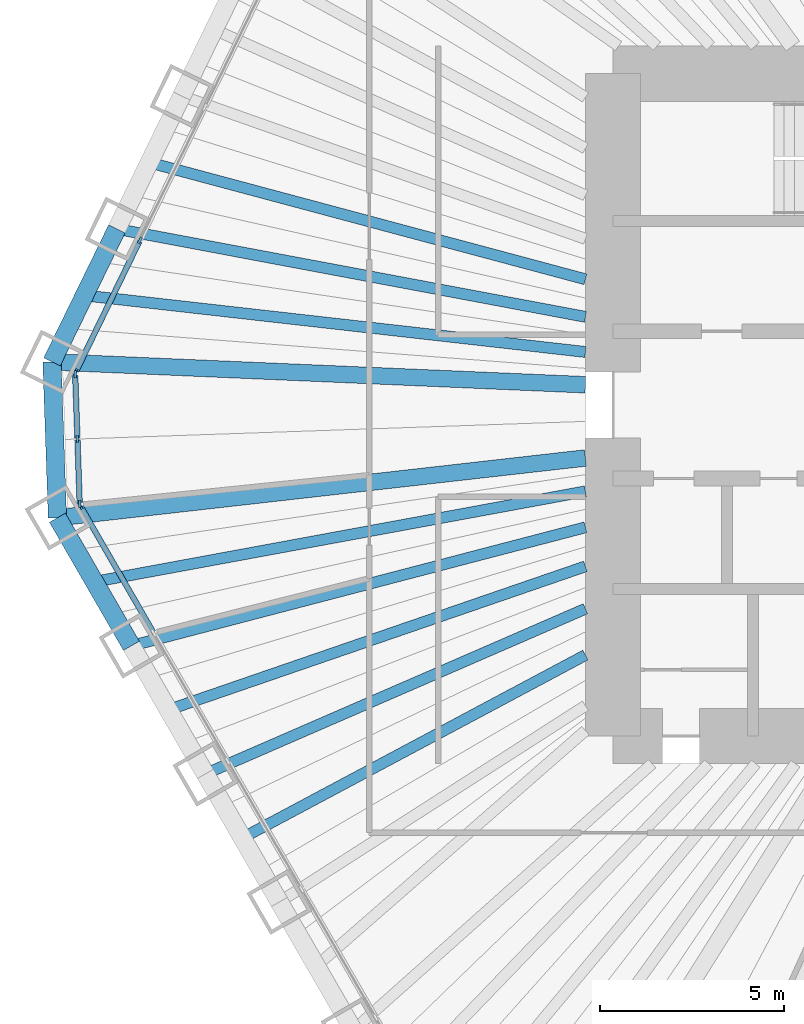
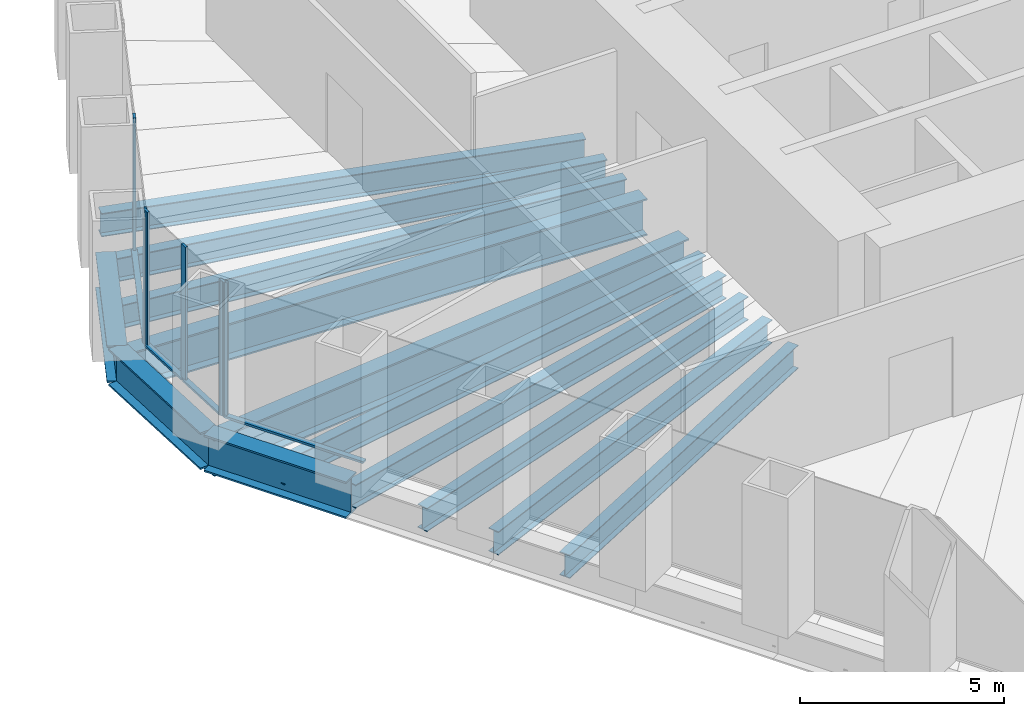
# One storey, part 3 of 13: 13 beams, 10 members, 3 elements without a shape of their own.
"""IFC4 building model written with IfcOpenShell, lengths in metres."""

from ifc_helpers import new_model, si_unit, direction, frame, origin, origin_2d, place, context, subcontext, project, spatial, rectangle, i_section, extrude, material, material_profile, profile_set, type_object, element, aggregate, save


model = new_model("IFC4")

# Units and contexts
model_context = context("Model", 3, precision=1e-05, world=origin(), true_north=direction((0.0, 1.0)))
body_context = subcontext(model_context, "Body", "Model", "MODEL_VIEW")
ifc_project = project(units=[si_unit("LENGTHUNIT", "METRE"), si_unit("AREAUNIT", "SQUARE_METRE"), si_unit("VOLUMEUNIT", "CUBIC_METRE"), si_unit("PLANEANGLEUNIT", "RADIAN"), si_unit("MASSUNIT", "GRAM", prefix="KILO")], contexts=[model_context])

# Site, building, storey
site_placement = place(None, origin())
site = spatial("IfcSite", under=ifc_project, at=site_placement, CompositionType="ELEMENT")
building_placement = place(site_placement, origin())
building = spatial("IfcBuilding", under=site, at=building_placement, Name="Qingtian Harvest Tower", CompositionType="ELEMENT")
storey_placement = place(building_placement, frame((0.0, 0.0, 115.60009765625)))
storey = spatial("IfcBuildingStorey", under=building, at=storey_placement, Name="L23", CompositionType="ELEMENT", Elevation=115.60009765625)

# Beams
ifc_material_1 = material(Name="Steel SM570MC", Category="steel")
ifc_material_profile_1 = material_profile(ifc_material_1, i_section(OverallWidth=0.449951171875, OverallDepth=1.10009765625, WebThickness=0.02197265625, FlangeThickness=0.044921875, at=origin_2d()), Name="H1100x450x22x45")
ifc_profile_set_1 = profile_set([ifc_material_profile_1], Name="Steel SM570MC")
beam_type_1 = type_object("IfcBeamType", Name="Corner floor beam FB8 H1100x450x22x45", PredefinedType="BEAM", material=ifc_profile_set_1)
beam_1_placement = place(storey_placement, frame((-27.096923828125, -3.066650390625, -0.72021484375), z_axis=(0.993656070393, 0.112461610213, 0.0), x_axis=(-0.112461610213, 0.993656070393, 0.0)))
element("IfcBeam", 1, at=beam_1_placement, inside=storey, type_object=beam_type_1, Name="Floor beam FB8 SW6", PredefinedType="BEAM", context=body_context, shape_type="SweptSolid", body=[
    extrude(i_section(OverallWidth=0.449951171875, OverallDepth=1.10009765625, WebThickness=0.02197265625, FlangeThickness=0.044921875, at=origin_2d()), origin(), (0.0, 0.0, 1.0), 14.4384765625),
])
beam_2_placement = place(storey_placement, frame((-27.244873046875, 1.1689453125, -0.72021484375), z_axis=(0.999081074678, -0.042860310542, 0.0), x_axis=(0.042860310542, 0.999081074678, 0.0)))
element("IfcBeam", 2, at=beam_2_placement, inside=storey, type_object=beam_type_1, Name="Floor beam FB8 NW0", PredefinedType="BEAM", context=body_context, shape_type="SweptSolid", body=[
    extrude(i_section(OverallWidth=0.449951171875, OverallDepth=1.10009765625, WebThickness=0.02197265625, FlangeThickness=0.044921875, at=origin_2d()), origin(), (0.0, 0.0, 1.0), 14.50830078125),
])
ifc_material_2 = material(Name="Steel SN490B", Category="steel")
ifc_material_profile_2 = material_profile(ifc_material_2, i_section(OverallWidth=0.300048828125, OverallDepth=0.699951171875, WebThickness=0.012939453125, FlangeThickness=0.02392578125, at=origin_2d()), Name="H700x300x13x24")
ifc_profile_set_2 = profile_set([ifc_material_profile_2], Name="Steel SN490B")
beam_type_2 = type_object("IfcBeamType", Name="Floor beam FB2 H700x300x13x24", PredefinedType="BEAM", material=ifc_profile_set_2)
beam_3_placement = place(storey_placement, frame((-23.077880859375, -10.02783203125, -0.52001953125), z_axis=(0.917154138631, 0.398532666154, 0.0), x_axis=(-0.398532666154, 0.917154138631, 0.0)))
element("IfcBeam", 3, at=beam_3_placement, inside=storey, type_object=beam_type_2, Name="Floor beam FB2 SW4", PredefinedType="BEAM", context=body_context, shape_type="SweptSolid", body=[
    extrude(i_section(OverallWidth=0.300048828125, OverallDepth=0.699951171875, WebThickness=0.012939453125, FlangeThickness=0.02392578125, at=origin_2d()), origin(), (0.0, 0.0, 1.0), 11.2607421875),
])
beam_4_placement = place(storey_placement, frame((-25.08740234375, -6.547119140625, -0.52001953125), z_axis=(0.967592867696, 0.252515429991, 0.0), x_axis=(-0.252515429991, 0.967592867696, 0.0)))
element("IfcBeam", 4, at=beam_4_placement, inside=storey, type_object=beam_type_2, Name="Floor beam FB2 SW5", PredefinedType="BEAM", context=body_context, shape_type="SweptSolid", body=[
    extrude(i_section(OverallWidth=0.300048828125, OverallDepth=0.699951171875, WebThickness=0.012939453125, FlangeThickness=0.02392578125, at=origin_2d()), origin(), (0.0, 0.0, 1.0), 12.750732421875),
])
beam_5_placement = place(storey_placement, frame((-25.483154296875, 4.78125, -0.52001953125), z_axis=(0.982851913913, -0.184396625015, 0.0), x_axis=(0.184396625015, 0.982851913913, 0.0)))
element("IfcBeam", 5, at=beam_5_placement, inside=storey, type_object=beam_type_2, Name="Floor beam FB2 NW1", PredefinedType="BEAM", context=body_context, shape_type="SweptSolid", body=[
    extrude(i_section(OverallWidth=0.300048828125, OverallDepth=0.699951171875, WebThickness=0.012939453125, FlangeThickness=0.02392578125, at=origin_2d()), origin(), (0.0, 0.0, 1.0), 12.955322265625),
])
ifc_material_3 = material(Name="Steel SN490B", Category="steel")
ifc_material_profile_3 = material_profile(ifc_material_3, i_section(OverallWidth=0.300048828125, OverallDepth=0.699951171875, WebThickness=0.012939453125, FlangeThickness=0.02392578125, at=origin_2d()), Name="H700x300x13x24")
ifc_profile_set_3 = profile_set([ifc_material_profile_3], Name="Steel SN490B")
beam_type_3 = type_object("IfcBeamType", Name="Floor joist J2 H700x300x13x24", PredefinedType="JOIST", material=ifc_profile_set_3)
beam_6_placement = place(storey_placement, frame((-22.0732421875, -11.76806640625, -0.52001953125), z_axis=(0.882429048443, 0.47044550637, 0.0), x_axis=(-0.47044550637, 0.882429048443, 0.0)))
element("IfcBeam", 6, at=beam_6_placement, inside=storey, type_object=beam_type_3, Name="Floor joist J2 SW3", PredefinedType="JOIST", context=body_context, shape_type="SweptSolid", body=[
    extrude(i_section(OverallWidth=0.300048828125, OverallDepth=0.699951171875, WebThickness=0.012939453125, FlangeThickness=0.02392578125, at=origin_2d()), origin(), (0.0, 0.0, 1.0), 10.5654296875),
])
beam_7_placement = place(storey_placement, frame((-24.082763671875, -8.28759765625, -0.52001953125), z_axis=(0.945577150072, 0.325397992099, 0.0), x_axis=(-0.325397992099, 0.945577150072, 0.0)))
element("IfcBeam", 7, at=beam_7_placement, inside=storey, type_object=beam_type_3, Name="Floor joist J2 SW4", PredefinedType="JOIST", context=body_context, shape_type="SweptSolid", body=[
    extrude(i_section(OverallWidth=0.300048828125, OverallDepth=0.699951171875, WebThickness=0.012939453125, FlangeThickness=0.02392578125, at=origin_2d()), origin(), (0.0, 0.0, 1.0), 11.985107421875),
])
beam_8_placement = place(storey_placement, frame((-26.09228515625, -4.806884765625, -0.52001953125), z_axis=(0.983450319804, 0.181178002192, 0.0), x_axis=(-0.181178002192, 0.983450319804, 0.0)))
element("IfcBeam", 8, at=beam_8_placement, inside=storey, type_object=beam_type_3, Name="Floor joist J2 SW5", PredefinedType="JOIST", context=body_context, shape_type="SweptSolid", body=[
    extrude(i_section(OverallWidth=0.300048828125, OverallDepth=0.699951171875, WebThickness=0.012939453125, FlangeThickness=0.02392578125, at=origin_2d()), origin(), (0.0, 0.0, 1.0), 13.56689453125),
])
beam_9_placement = place(storey_placement, frame((-26.364013671875, 2.97509765625, -0.52001953125), z_axis=(0.993692330348, -0.112140771387, 0.0), x_axis=(0.112140771387, 0.993692330348, 0.0)))
element("IfcBeam", 9, at=beam_9_placement, inside=storey, type_object=beam_type_3, Name="Floor joist J2 NW0", PredefinedType="JOIST", context=body_context, shape_type="SweptSolid", body=[
    extrude(i_section(OverallWidth=0.300048828125, OverallDepth=0.699951171875, WebThickness=0.012939453125, FlangeThickness=0.02392578125, at=origin_2d()), origin(), (0.0, 0.0, 1.0), 13.700439453125),
])
beam_10_placement = place(storey_placement, frame((-24.60205078125, 6.58740234375, -0.52001953125), z_axis=(0.965969893862, -0.258654526641, 0.0), x_axis=(0.258654526641, 0.965969893862, 0.0)))
element("IfcBeam", 10, at=beam_10_placement, inside=storey, type_object=beam_type_3, Name="Floor joist J2 NW1", PredefinedType="JOIST", context=body_context, shape_type="SweptSolid", body=[
    extrude(i_section(OverallWidth=0.300048828125, OverallDepth=0.699951171875, WebThickness=0.012939453125, FlangeThickness=0.02392578125, at=origin_2d()), origin(), (0.0, 0.0, 1.0), 12.26953125),
])

# Curtain wall, member
ifc_material_4 = material(Name="Bronze-anodised aluminium curtain wall", Category="aluminium")
curtain_wall_type = type_object("IfcCurtainWallType", Name="Curtain wall CW4 office", PredefinedType="USERDEFINED", material=ifc_material_4)
curtain_wall_1_placement = place(storey_placement, origin())
curtain_wall_1 = element("IfcCurtainWall", 11, at=curtain_wall_1_placement, inside=storey, type_object=curtain_wall_type, Name="Curtain wall CW4 L23 SW0-5", ObjectType="RECESSED CURTAIN WALL", PredefinedType="USERDEFINED")
ifc_material_5 = material(Name="Bronze-anodised aluminium mullion", Category="aluminium")
ifc_material_profile_4 = material_profile(ifc_material_5, rectangle(XDim=0.06494140625, YDim=0.199951171875, at=origin_2d()), Name="AL 65x200")
ifc_profile_set_4 = profile_set([ifc_material_profile_4], Name="Bronze-anodised aluminium mullion")
member_type_1 = type_object("IfcMemberType", Name="Mullion CWM 65x200", PredefinedType="MULLION", material=ifc_profile_set_4)
member_1_placement = place(storey_placement, frame((-26.474609375, -2.744873046875, 0.0), z_axis=(0.0, 0.0, 1.0), x_axis=(-0.866025403784, -0.5, 0.0)))
member_1 = element("IfcMember", 12, at=member_1_placement, type_object=member_type_1, Name="CW4 mullion 7", PredefinedType="MULLION", context=body_context, shape_type="SweptSolid", body=[
    extrude(rectangle(XDim=0.06494140625, YDim=0.199951171875, at=origin_2d()), origin(), (0.0, 0.0, 1.0), 4.02978515625),
])

# Curtain wall, members
curtain_wall_2_placement = place(storey_placement, origin())
curtain_wall_2 = element("IfcCurtainWall", 13, at=curtain_wall_2_placement, inside=storey, type_object=curtain_wall_type, Name="Curtain wall CW4 L23 SWC", ObjectType="RECESSED CURTAIN WALL", PredefinedType="USERDEFINED")
member_2_placement = place(storey_placement, frame((-26.491943359375, -2.68408203125, 0.0), z_axis=(0.0, 0.0, 1.0), x_axis=(-0.999390827019, -0.034899496703, 0.0)))
member_2 = element("IfcMember", 14, at=member_2_placement, type_object=member_type_1, Name="CW4 mullion 1", PredefinedType="MULLION", context=body_context, shape_type="SweptSolid", body=[
    extrude(rectangle(XDim=0.06494140625, YDim=0.199951171875, at=origin_2d()), origin(), (0.0, 0.0, 1.0), 4.02978515625),
])
member_3_placement = place(storey_placement, frame((-26.55322265625, -0.92724609375, 0.0), z_axis=(0.0, 0.0, 1.0), x_axis=(-0.999390827019, -0.034899496703, 0.0)))
member_3 = element("IfcMember", 15, at=member_3_placement, type_object=member_type_1, Name="CW4 mullion 2", PredefinedType="MULLION", context=body_context, shape_type="SweptSolid", body=[
    extrude(rectangle(XDim=0.06494140625, YDim=0.199951171875, at=origin_2d()), origin(), (0.0, 0.0, 1.0), 4.02978515625),
])
member_4_placement = place(storey_placement, frame((-26.614501953125, 0.82958984375, 0.0), z_axis=(0.0, 0.0, 1.0), x_axis=(-0.999390827019, -0.034899496703, 0.0)))
member_4 = element("IfcMember", 16, at=member_4_placement, type_object=member_type_1, Name="CW4 mullion 3", PredefinedType="MULLION", context=body_context, shape_type="SweptSolid", body=[
    extrude(rectangle(XDim=0.06494140625, YDim=0.199951171875, at=origin_2d()), origin(), (0.0, 0.0, 1.0), 4.02978515625),
])

curtain_wall_3_placement = place(storey_placement, origin())
curtain_wall_3 = element("IfcCurtainWall", 17, at=curtain_wall_3_placement, inside=storey, type_object=curtain_wall_type, Name="Curtain wall CW4 L23 NW0-5", ObjectType="RECESSED CURTAIN WALL", PredefinedType="USERDEFINED")
member_5_placement = place(storey_placement, frame((-26.6015625, 0.891357421875, 0.0), z_axis=(0.0, 0.0, 1.0), x_axis=(-0.898794046299, 0.438371146789, 0.0)))
member_5 = element("IfcMember", 18, at=member_5_placement, type_object=member_type_1, Name="CW4 mullion 1", PredefinedType="MULLION", context=body_context, shape_type="SweptSolid", body=[
    extrude(rectangle(XDim=0.06494140625, YDim=0.199951171875, at=origin_2d()), origin(), (0.0, 0.0, 1.0), 4.02978515625),
])
member_6_placement = place(storey_placement, frame((-24.85400390625, 4.474365234375, 0.0), z_axis=(0.0, 0.0, 1.0), x_axis=(-0.898794046299, 0.438371146789, 0.0)))
member_6 = element("IfcMember", 19, at=member_6_placement, type_object=member_type_1, Name="CW4 mullion 2", PredefinedType="MULLION", context=body_context, shape_type="SweptSolid", body=[
    extrude(rectangle(XDim=0.06494140625, YDim=0.199951171875, at=origin_2d()), origin(), (0.0, 0.0, 1.0), 4.02978515625),
])

# Beams
ifc_material_6 = material(Name="Steel SM570MC", Category="steel")
ifc_material_profile_5 = material_profile(ifc_material_6, i_section(OverallWidth=0.5, OverallDepth=1.10009765625, WebThickness=0.02490234375, FlangeThickness=0.050048828125, at=origin_2d()), Name="H1100x500x25x50")
ifc_profile_set_5 = profile_set([ifc_material_profile_5], Name="Steel SM570MC")
beam_type_4 = type_object("IfcBeamType", Name="Spandrel beam SB2 H1100x500x25x50", PredefinedType="SPANDREL", material=ifc_profile_set_5)
beam_11_placement = place(storey_placement, frame((-25.08740234375, -6.547119140625, -0.550048828125), z_axis=(-0.500013420409, 0.866017655369, 0.0), x_axis=(-0.866017655369, -0.500013420409, 0.0)))
element("IfcBeam", 20, at=beam_11_placement, inside=storey, type_object=beam_type_4, Name="Spandrel SB2 SW5", PredefinedType="SPANDREL", context=body_context, shape_type="SweptSolid", body=[
    extrude(i_section(OverallWidth=0.5, OverallDepth=1.10009765625, WebThickness=0.02490234375, FlangeThickness=0.050048828125, at=origin_2d()), origin(), (0.0, 0.0, 1.0), 4.01904296875),
])
beam_12_placement = place(storey_placement, frame((-27.096923828125, -3.066650390625, -0.550048828125), z_axis=(-0.034908677553, 0.999390506375, 0.0), x_axis=(-0.999390506375, -0.034908677553, 0.0)))
element("IfcBeam", 21, at=beam_12_placement, inside=storey, type_object=beam_type_4, Name="Spandrel SB2 SWC", PredefinedType="SPANDREL", context=body_context, shape_type="SweptSolid", body=[
    extrude(i_section(OverallWidth=0.5, OverallDepth=1.10009765625, WebThickness=0.02490234375, FlangeThickness=0.050048828125, at=origin_2d()), origin(), (0.0, 0.0, 1.0), 4.23828125),
])
beam_13_placement = place(storey_placement, frame((-27.244873046875, 1.1689453125, -0.550048828125), z_axis=(0.438347033158, 0.898805806902, 0.0), x_axis=(-0.898805806902, 0.438347033158, 0.0)))
element("IfcBeam", 22, at=beam_13_placement, inside=storey, type_object=beam_type_4, Name="Spandrel SB2 NW0", PredefinedType="SPANDREL", context=body_context, shape_type="SweptSolid", body=[
    extrude(i_section(OverallWidth=0.5, OverallDepth=1.10009765625, WebThickness=0.02490234375, FlangeThickness=0.050048828125, at=origin_2d()), origin(), (0.0, 0.0, 1.0), 4.01904296875),
])

# Member
ifc_material_7 = material(Name="Bronze-anodised aluminium transom", Category="aluminium")
ifc_material_profile_6 = material_profile(ifc_material_7, rectangle(XDim=0.14990234375, YDim=0.06494140625, at=origin_2d()), Name="AL 65x150")
ifc_profile_set_6 = profile_set([ifc_material_profile_6], Name="Bronze-anodised aluminium transom")
member_type_2 = type_object("IfcMemberType", Name="Transom CWT 65x150", PredefinedType="USERDEFINED", material=ifc_profile_set_6)
member_7_placement = place(storey_placement, frame((-24.49755859375, -6.169189453125, 0.032470703125), z_axis=(-0.499975738995, 0.866039410429, 0.0), x_axis=(-0.866039410429, -0.499975738995, 0.0)))
member_7 = element("IfcMember", 23, at=member_7_placement, type_object=member_type_2, Name="CW4 transom 6.1", ObjectType="TRANSOM", PredefinedType="USERDEFINED", context=body_context, shape_type="SweptSolid", body=[
    extrude(rectangle(XDim=0.14990234375, YDim=0.06494140625, at=origin_2d()), origin(), (0.0, 0.0, 1.0), 3.921630859375),
])

aggregate(curtain_wall_1, [member_1, member_7])

member_8_placement = place(storey_placement, frame((-26.4931640625, -2.651611328125, 0.032470703125), z_axis=(-0.034899362377, 0.99939083171, 0.0), x_axis=(-0.99939083171, -0.034899362377, 0.0)))
member_8 = element("IfcMember", 24, at=member_8_placement, type_object=member_type_2, Name="CW4 transom 1.1", ObjectType="TRANSOM", PredefinedType="USERDEFINED", context=body_context, shape_type="SweptSolid", body=[
    extrude(rectangle(XDim=0.14990234375, YDim=0.06494140625, at=origin_2d()), origin(), (0.0, 0.0, 1.0), 1.69287109375),
])

member_9_placement = place(storey_placement, frame((-26.554443359375, -0.894775390625, 0.032470703125), z_axis=(-0.034899362377, 0.99939083171, 0.0), x_axis=(-0.99939083171, -0.034899362377, 0.0)))
member_9 = element("IfcMember", 25, at=member_9_placement, type_object=member_type_2, Name="CW4 transom 2.1", ObjectType="TRANSOM", PredefinedType="USERDEFINED", context=body_context, shape_type="SweptSolid", body=[
    extrude(rectangle(XDim=0.14990234375, YDim=0.06494140625, at=origin_2d()), origin(), (0.0, 0.0, 1.0), 1.69287109375),
])

aggregate(curtain_wall_2, [member_2, member_3, member_4, member_8, member_9])

member_10_placement = place(storey_placement, frame((-26.587158203125, 0.92041015625, 0.032470703125), z_axis=(0.438326734225, 0.898815706396, 0.0), x_axis=(-0.898815706396, 0.438326734225, 0.0)))
member_10 = element("IfcMember", 26, at=member_10_placement, type_object=member_type_2, Name="CW4 transom 1.1", ObjectType="TRANSOM", PredefinedType="USERDEFINED", context=body_context, shape_type="SweptSolid", body=[
    extrude(rectangle(XDim=0.14990234375, YDim=0.06494140625, at=origin_2d()), origin(), (0.0, 0.0, 1.0), 3.921630859375),
])

aggregate(curtain_wall_3, [member_5, member_6, member_10])

save(model, "model.ifc")
